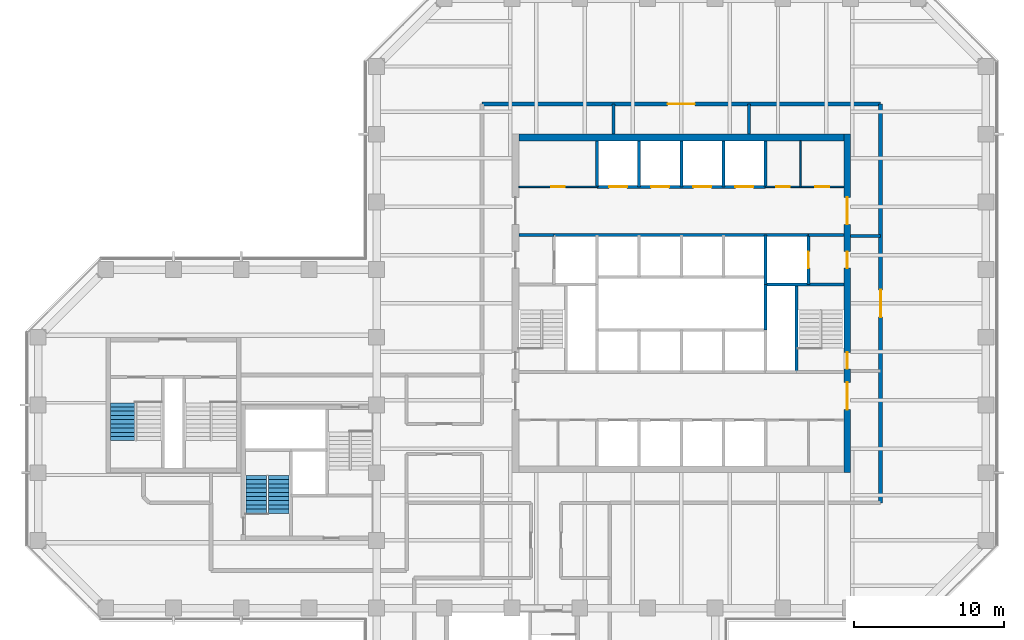
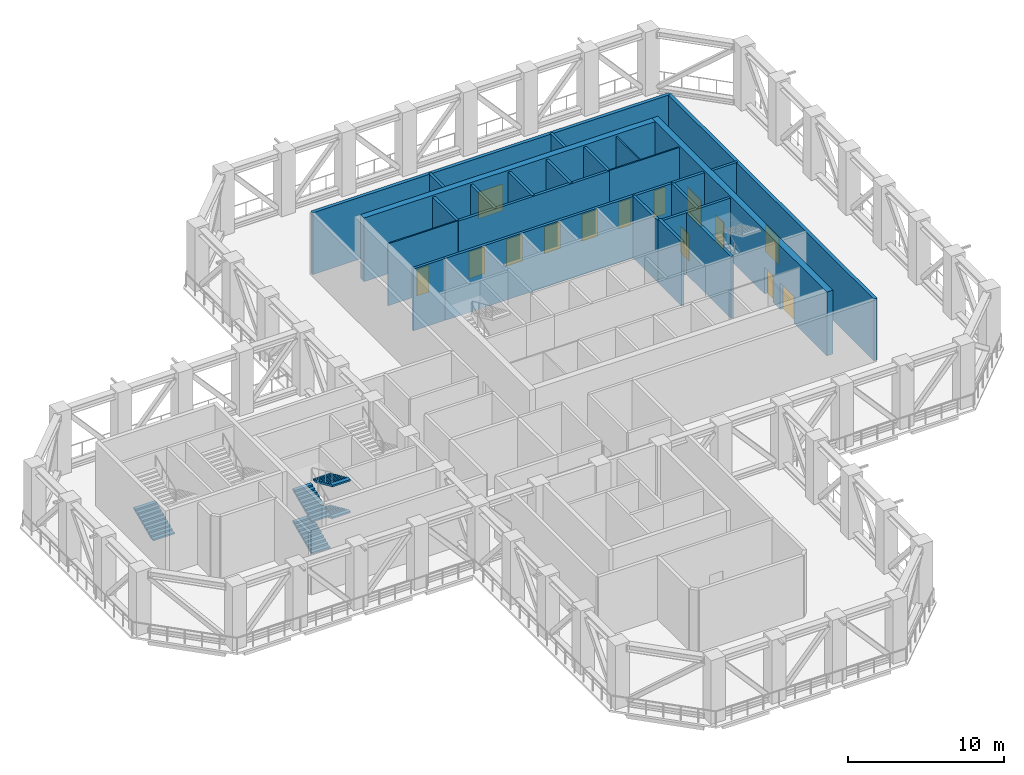
# One storey, part 7 of 14: 24 walls, 14 doors, 5 stair flights, 14 openings, 2 elements without a shape of their own.
"""IFC4 building model written with IfcOpenShell, lengths in metres."""

from ifc_helpers import new_model, si_unit, direction, frame, frame_2d, origin, place, context, subcontext, project, spatial, polyline, rectangle, outline, extrude, material, layer, layer_set, type_object, element, fill, aggregate, save


model = new_model("IFC4")

# Units and contexts
model_context = context("Model", 3, precision=1e-05, world=origin(), true_north=direction((0.0, 1.0)))
body_context = subcontext(model_context, "Body", "Model", "MODEL_VIEW")
ifc_project = project(units=[si_unit("LENGTHUNIT", "METRE"), si_unit("AREAUNIT", "SQUARE_METRE"), si_unit("VOLUMEUNIT", "CUBIC_METRE"), si_unit("PLANEANGLEUNIT", "RADIAN"), si_unit("MASSUNIT", "GRAM", prefix="KILO")], contexts=[model_context])

# Site, building, storey
site_placement = place(None, origin())
site = spatial("IfcSite", under=ifc_project, at=site_placement, CompositionType="ELEMENT")
building_placement = place(site_placement, origin())
building = spatial("IfcBuilding", under=site, at=building_placement, Name="Quoin Convention Tower", CompositionType="ELEMENT")
storey_placement = place(building_placement, frame((0.0, 0.0, 138.10009765625)))
storey = spatial("IfcBuildingStorey", under=building, at=storey_placement, Name="L36", CompositionType="ELEMENT", Elevation=138.10009765625)

# Wall, opening, door
ifc_material_1 = material(Name="Plasterboard")
ifc_layer_1 = layer(ifc_material_1, 0.012451171875, Name="Finish")
ifc_material_2 = material(Name="Steel stud framing", Category="steel")
ifc_layer_2 = layer(ifc_material_2, 0.074951171875, Name="Structure")
ifc_layer_3 = layer(ifc_material_1, 0.012451171875, Name="Finish")
ifc_layer_set_1 = layer_set([ifc_layer_1, ifc_layer_2, ifc_layer_3], Name="Steel stud framing")
wall_type_1 = type_object("IfcWallType", Name="Core partition wall", PredefinedType="PARTITIONING", material=ifc_layer_set_1)
wall_1_placement = place(storey_placement, frame((45.449951171875, 68.5, 0.0), z_axis=(0.0, 0.0, 1.0), x_axis=(1.0, 0.0, 0.0)))
wall_1 = element("IfcWall", 1, at=wall_1_placement, inside=storey, type_object=wall_type_1, Name="cr-C1-L36-h19000_450", PredefinedType="PARTITIONING", context=body_context, shape_type="SweptSolid", body=[
    extrude(rectangle(XDim=5.199951171875, YDim=0.10009765625, at=frame_2d((2.60009765625, 0.0))), origin(), (0.0, 0.0, 1.0), 4.849853515625),
])
opening_1_placement = place(wall_1_placement, frame((2.14990234375, 0.0, 0.0)))
opening_1 = element("IfcOpeningElement", 2, at=opening_1_placement, cuts=wall_1, Name="Opening DCV0-23", PredefinedType="OPENING", context=body_context, shape_type="SweptSolid", body=[
    extrude(rectangle(XDim=0.89990234375, YDim=2.10009765625, at=frame_2d((0.449951171875, 1.050048828125))), frame((0.0, 0.06005859375, 0.0), z_axis=(0.0, -1.0, 0.0), x_axis=(1.0, 0.0, 0.0)), (0.0, 0.0, 1.0), 0.1201171875),
])
ifc_material_3 = material(Name="Steel door leaf", Category="steel")
door_type_1 = type_object("IfcDoorType", Name="Core room door 900 x 2100", OperationType="SINGLE_SWING_LEFT", PredefinedType="DOOR", material=ifc_material_3)
door_1_placement = place(opening_1_placement, origin())
door_1 = element("IfcDoor", 3, at=door_1_placement, inside=storey, type_object=door_type_1, Name="cd-C1-L36-CNW0-lobB-CD3609", OperationType="SINGLE_SWING_RIGHT", OverallHeight=2.10009765625, OverallWidth=0.89990234375, PredefinedType="DOOR", context=body_context, shape_type="SweptSolid", body=[
    extrude(rectangle(XDim=0.89990234375, YDim=2.10009765625, at=frame_2d((0.449951171875, 1.050048828125))), frame((0.0, 0.02490234375, 0.0), z_axis=(0.0, -1.0, 0.0), x_axis=(1.0, 0.0, 0.0)), (0.0, 0.0, 1.0), 0.050048828125),
])
fill(opening_1, door_1)

# Wall, openings, doors
wall_2_placement = place(storey_placement, frame((61.85009765625, 68.5, 0.0), z_axis=(0.0, 0.0, 1.0), x_axis=(1.0, 0.0, 0.0)))
wall_2 = element("IfcWall", 4, at=wall_2_placement, inside=storey, type_object=wall_type_1, Name="cr-C1-L36-h19000_16850", PredefinedType="PARTITIONING", context=body_context, shape_type="SweptSolid", body=[
    extrude(rectangle(XDim=5.199951171875, YDim=0.10009765625, at=frame_2d((2.60009765625, 0.0))), origin(), (0.0, 0.0, 1.0), 4.849853515625),
])
opening_2_placement = place(wall_2_placement, frame((3.320068359375, 0.0, 0.0)))
opening_2 = element("IfcOpeningElement", 5, at=opening_2_placement, cuts=wall_2, Name="Opening DCV0-09", PredefinedType="OPENING", context=body_context, shape_type="SweptSolid", body=[
    extrude(rectangle(XDim=0.89990234375, YDim=2.10009765625, at=frame_2d((0.449951171875, 1.050048828125))), frame((0.0, 0.06005859375, 0.0), z_axis=(0.0, -1.0, 0.0), x_axis=(1.0, 0.0, 0.0)), (0.0, 0.0, 1.0), 0.1201171875),
])
opening_3_placement = place(wall_2_placement, frame((0.719970703125, 0.0, 0.0)))
opening_3 = element("IfcOpeningElement", 6, at=opening_3_placement, cuts=wall_2, Name="Opening DCV0-06", PredefinedType="OPENING", context=body_context, shape_type="SweptSolid", body=[
    extrude(rectangle(XDim=0.89990234375, YDim=2.10009765625, at=frame_2d((0.449951171875, 1.050048828125))), frame((0.0, 0.06005859375, 0.0), z_axis=(0.0, -1.0, 0.0), x_axis=(1.0, 0.0, 0.0)), (0.0, 0.0, 1.0), 0.1201171875),
])
door_2_placement = place(opening_2_placement, origin())
door_2 = element("IfcDoor", 7, at=door_2_placement, inside=storey, type_object=door_type_1, Name="cd-C1-L36-CNE0-lobB-CD3607", OperationType="SINGLE_SWING_RIGHT", OverallHeight=2.10009765625, OverallWidth=0.89990234375, PredefinedType="DOOR", context=body_context, shape_type="SweptSolid", body=[
    extrude(rectangle(XDim=0.89990234375, YDim=2.10009765625, at=frame_2d((0.449951171875, 1.050048828125))), frame((0.0, 0.02490234375, 0.0), z_axis=(0.0, -1.0, 0.0), x_axis=(1.0, 0.0, 0.0)), (0.0, 0.0, 1.0), 0.050048828125),
])
fill(opening_2, door_2)
door_3_placement = place(opening_3_placement, origin())
door_3 = element("IfcDoor", 8, at=door_3_placement, inside=storey, type_object=door_type_1, Name="cd-C1-L36-CNE1-lobB-CD3608", OperationType="SINGLE_SWING_RIGHT", OverallHeight=2.10009765625, OverallWidth=0.89990234375, PredefinedType="DOOR", context=body_context, shape_type="SweptSolid", body=[
    extrude(rectangle(XDim=0.89990234375, YDim=2.10009765625, at=frame_2d((0.449951171875, 1.050048828125))), frame((0.0, 0.02490234375, 0.0), z_axis=(0.0, -1.0, 0.0), x_axis=(1.0, 0.0, 0.0)), (0.0, 0.0, 1.0), 0.050048828125),
])
fill(opening_3, door_3)

# Walls
wall_3_placement = place(storey_placement, frame((64.18994140625, 68.5, 0.0), z_axis=(0.0, 0.0, 1.0), x_axis=(0.0, 1.0, 0.0)))
element("IfcWall", 9, at=wall_3_placement, inside=storey, type_object=wall_type_1, Name="cr-C1-L36-v19190_19000", PredefinedType="PARTITIONING", context=body_context, shape_type="SweptSolid", body=[
    extrude(rectangle(XDim=3.050048828125, YDim=0.10009765625, at=frame_2d((1.52490234375, 0.0))), origin(), (0.0, 0.0, 1.0), 4.849853515625),
])
ifc_material_4 = material(Name="Concrete C50", Category="concrete")
ifc_layer_4 = layer(ifc_material_4, 0.199951171875)
ifc_layer_set_2 = layer_set([ifc_layer_4], Name="Concrete C50")
wall_type_2 = type_object("IfcWallType", Name="Core shaft wall", PredefinedType="SOLIDWALL", material=ifc_layer_set_2)
wall_4_placement = place(storey_placement, frame((61.85009765625, 62.0, 0.0), z_axis=(0.0, 0.0, 1.0), x_axis=(1.0, 0.0, 0.0)))
element("IfcWall", 10, at=wall_4_placement, inside=storey, type_object=wall_type_2, Name="cr-C1-L36-h12500_16850", PredefinedType="SOLIDWALL", context=body_context, shape_type="SweptSolid", body=[
    extrude(rectangle(XDim=5.199951171875, YDim=0.199951171875, at=frame_2d((2.60009765625, 0.0))), origin(), (0.0, 0.0, 1.0), 4.849853515625),
])
for number, where, z_axis, x_axis, name in (
    (11, (45.449951171875, 65.300048828125, 0.0), (0.0, 0.0, 1.0), (1.0, 0.0, 0.0), "cr-C1-L36-h15800_450"),
    (12, (64.699951171875, 65.300048828125, 0.0), (0.0, 0.0, 1.0), (1.0, 0.0, 0.0), "cr-C1-L36-h15800_19700"),
):
    element("IfcWall", number, at=place(storey_placement, frame(where, z_axis=z_axis, x_axis=x_axis)), inside=storey, type_object=wall_type_2, Name=name, PredefinedType="SOLIDWALL", context=body_context, shape_type="SweptSolid", body=[
        extrude(rectangle(XDim=2.35009765625, YDim=0.199951171875, at=frame_2d((1.175048828125, 0.0))), origin(), (0.0, 0.0, 1.0), 4.849853515625),
    ])
wall_5_placement = place(storey_placement, frame((47.800048828125, 65.300048828125, 0.0), z_axis=(0.0, 0.0, 1.0), x_axis=(1.0, 0.0, 0.0)))
element("IfcWall", 13, at=wall_5_placement, inside=storey, type_object=wall_type_2, Name="cr-C1-L36-h15800_2800", PredefinedType="SOLIDWALL", context=body_context, shape_type="SweptSolid", body=[
    extrude(rectangle(XDim=16.89990234375, YDim=0.199951171875, at=frame_2d((8.449951171875, 0.0))), origin(), (0.0, 0.0, 1.0), 4.849853515625),
])

# Wall, openings, doors
wall_6_placement = place(storey_placement, frame((50.64990234375, 68.5, 0.0), z_axis=(0.0, 0.0, 1.0), x_axis=(1.0, 0.0, 0.0)))
wall_6 = element("IfcWall", 14, at=wall_6_placement, inside=storey, type_object=wall_type_2, Name="cr-C1-L36-h19000_5650", PredefinedType="SOLIDWALL", context=body_context, shape_type="SweptSolid", body=[
    extrude(rectangle(XDim=11.2001953125, YDim=0.199951171875, at=frame_2d((5.60009765625, 0.0))), origin(), (0.0, 0.0, 1.0), 4.849853515625),
])
opening_4_placement = place(wall_6_placement, frame((0.800048828125, 0.0, 0.0)))
opening_4 = element("IfcOpeningElement", 15, at=opening_4_placement, cuts=wall_6, Name="Opening LDL5", PredefinedType="OPENING", context=body_context, shape_type="SweptSolid", body=[
    extrude(rectangle(XDim=1.199951171875, YDim=2.10009765625, at=frame_2d((0.60009765625, 1.050048828125))), frame((0.0, 0.10986328125, 0.0), z_axis=(0.0, -1.0, 0.0), x_axis=(1.0, 0.0, 0.0)), (0.0, 0.0, 1.0), 0.219970703125),
])
opening_5_placement = place(wall_6_placement, frame((3.60009765625, 0.0, 0.0)))
opening_5 = element("IfcOpeningElement", 16, at=opening_5_placement, cuts=wall_6, Name="Opening LDL6", PredefinedType="OPENING", context=body_context, shape_type="SweptSolid", body=[
    extrude(rectangle(XDim=1.199951171875, YDim=2.10009765625, at=frame_2d((0.60009765625, 1.050048828125))), frame((0.0, 0.10986328125, 0.0), z_axis=(0.0, -1.0, 0.0), x_axis=(1.0, 0.0, 0.0)), (0.0, 0.0, 1.0), 0.219970703125),
])
opening_6_placement = place(wall_6_placement, frame((6.39990234375, 0.0, 0.0)))
opening_6 = element("IfcOpeningElement", 17, at=opening_6_placement, cuts=wall_6, Name="Opening LDL7", PredefinedType="OPENING", context=body_context, shape_type="SweptSolid", body=[
    extrude(rectangle(XDim=1.199951171875, YDim=2.10009765625, at=frame_2d((0.60009765625, 1.050048828125))), frame((0.0, 0.10986328125, 0.0), z_axis=(0.0, -1.0, 0.0), x_axis=(1.0, 0.0, 0.0)), (0.0, 0.0, 1.0), 0.219970703125),
])
opening_7_placement = place(wall_6_placement, frame((9.199951171875, 0.0, 0.0)))
opening_7 = element("IfcOpeningElement", 18, at=opening_7_placement, cuts=wall_6, Name="Opening LDL8", PredefinedType="OPENING", context=body_context, shape_type="SweptSolid", body=[
    extrude(rectangle(XDim=1.199951171875, YDim=2.10009765625, at=frame_2d((0.60009765625, 1.050048828125))), frame((0.0, 0.10986328125, 0.0), z_axis=(0.0, -1.0, 0.0), x_axis=(1.0, 0.0, 0.0)), (0.0, 0.0, 1.0), 0.219970703125),
])
door_type_2 = type_object("IfcDoorType", Name="Lift landing door 1200 x 2100", OperationType="DOUBLE_DOOR_SLIDING", PredefinedType="DOOR", material=ifc_material_3)
door_4_placement = place(opening_4_placement, origin())
door_4 = element("IfcDoor", 19, at=door_4_placement, inside=storey, type_object=door_type_2, Name="cd-C1-L36-R40-lobB-LDL5", OperationType="DOUBLE_DOOR_SLIDING", OverallHeight=2.10009765625, OverallWidth=1.199951171875, PredefinedType="DOOR", context=body_context, shape_type="SweptSolid", body=[
    extrude(rectangle(XDim=1.199951171875, YDim=2.10009765625, at=frame_2d((0.60009765625, 1.050048828125))), frame((0.0, 0.02490234375, 0.0), z_axis=(0.0, -1.0, 0.0), x_axis=(1.0, 0.0, 0.0)), (0.0, 0.0, 1.0), 0.050048828125),
])
fill(opening_4, door_4)
door_5_placement = place(opening_5_placement, origin())
door_5 = element("IfcDoor", 20, at=door_5_placement, inside=storey, type_object=door_type_2, Name="cd-C1-L36-R41-lobB-LDL6", OperationType="DOUBLE_DOOR_SLIDING", OverallHeight=2.10009765625, OverallWidth=1.199951171875, PredefinedType="DOOR", context=body_context, shape_type="SweptSolid", body=[
    extrude(rectangle(XDim=1.199951171875, YDim=2.10009765625, at=frame_2d((0.60009765625, 1.050048828125))), frame((0.0, 0.02490234375, 0.0), z_axis=(0.0, -1.0, 0.0), x_axis=(1.0, 0.0, 0.0)), (0.0, 0.0, 1.0), 0.050048828125),
])
fill(opening_5, door_5)
door_6_placement = place(opening_6_placement, origin())
door_6 = element("IfcDoor", 21, at=door_6_placement, inside=storey, type_object=door_type_2, Name="cd-C1-L36-R42-lobB-LDL7", OperationType="DOUBLE_DOOR_SLIDING", OverallHeight=2.10009765625, OverallWidth=1.199951171875, PredefinedType="DOOR", context=body_context, shape_type="SweptSolid", body=[
    extrude(rectangle(XDim=1.199951171875, YDim=2.10009765625, at=frame_2d((0.60009765625, 1.050048828125))), frame((0.0, 0.02490234375, 0.0), z_axis=(0.0, -1.0, 0.0), x_axis=(1.0, 0.0, 0.0)), (0.0, 0.0, 1.0), 0.050048828125),
])
fill(opening_6, door_6)
door_7_placement = place(opening_7_placement, origin())
door_7 = element("IfcDoor", 22, at=door_7_placement, inside=storey, type_object=door_type_2, Name="cd-C1-L36-R43-lobB-LDL8", OperationType="DOUBLE_DOOR_SLIDING", OverallHeight=2.10009765625, OverallWidth=1.199951171875, PredefinedType="DOOR", context=body_context, shape_type="SweptSolid", body=[
    extrude(rectangle(XDim=1.199951171875, YDim=2.10009765625, at=frame_2d((0.60009765625, 1.050048828125))), frame((0.0, 0.02490234375, 0.0), z_axis=(0.0, -1.0, 0.0), x_axis=(1.0, 0.0, 0.0)), (0.0, 0.0, 1.0), 0.050048828125),
])
fill(opening_7, door_7)

# Walls
for number, where, z_axis, x_axis, name in (
    (23, (50.64990234375, 68.5, 0.0), (0.0, 0.0, 1.0), (0.0, 1.0, 0.0), "cr-C1-L36-v5650_19000"),
    (24, (53.449951171875, 68.5, 0.0), (0.0, 0.0, 1.0), (0.0, 1.0, 0.0), "cr-C1-L36-v8450_19000"),
    (25, (56.25, 68.5, 0.0), (0.0, 0.0, 1.0), (0.0, 1.0, 0.0), "cr-C1-L36-v11250_19000"),
    (26, (59.050048828125, 68.5, 0.0), (0.0, 0.0, 1.0), (0.0, 1.0, 0.0), "cr-C1-L36-v14050_19000"),
):
    element("IfcWall", number, at=place(storey_placement, frame(where, z_axis=z_axis, x_axis=x_axis)), inside=storey, type_object=wall_type_2, Name=name, PredefinedType="SOLIDWALL", context=body_context, shape_type="SweptSolid", body=[
        extrude(rectangle(XDim=3.050048828125, YDim=0.199951171875, at=frame_2d((1.52490234375, 0.0))), origin(), (0.0, 0.0, 1.0), 4.849853515625),
    ])
wall_7_placement = place(storey_placement, frame((61.85009765625, 62.0, 0.0), z_axis=(0.0, 0.0, 1.0), x_axis=(0.0, 1.0, 0.0)))
element("IfcWall", 27, at=wall_7_placement, inside=storey, type_object=wall_type_2, Name="cr-C1-L36-v16850_12500", PredefinedType="SOLIDWALL", context=body_context, shape_type="SweptSolid", body=[
    extrude(rectangle(XDim=3.300048828125, YDim=0.199951171875, at=frame_2d((1.64990234375, 0.0))), origin(), (0.0, 0.0, 1.0), 4.849853515625),
])
wall_8_placement = place(storey_placement, frame((61.85009765625, 68.5, 0.0), z_axis=(0.0, 0.0, 1.0), x_axis=(0.0, 1.0, 0.0)))
element("IfcWall", 28, at=wall_8_placement, inside=storey, type_object=wall_type_2, Name="cr-C1-L36-v16850_19000", PredefinedType="SOLIDWALL", context=body_context, shape_type="SweptSolid", body=[
    extrude(rectangle(XDim=3.050048828125, YDim=0.199951171875, at=frame_2d((1.52490234375, 0.0))), origin(), (0.0, 0.0, 1.0), 4.849853515625),
])
wall_9_placement = place(storey_placement, frame((63.89990234375, 56.199951171875, 0.0), z_axis=(0.0, 0.0, 1.0), x_axis=(0.0, 1.0, 0.0)))
element("IfcWall", 29, at=wall_9_placement, inside=storey, type_object=wall_type_2, Name="cr-C1-L36-v18900_6700", PredefinedType="SOLIDWALL", context=body_context, shape_type="SweptSolid", body=[
    extrude(rectangle(XDim=5.800048828125, YDim=0.199951171875, at=frame_2d((2.89990234375, 0.0))), origin(), (0.0, 0.0, 1.0), 4.849853515625),
])

# Wall, opening, door
wall_10_placement = place(storey_placement, frame((64.699951171875, 62.0, 0.0), z_axis=(0.0, 0.0, 1.0), x_axis=(0.0, 1.0, 0.0)))
wall_10 = element("IfcWall", 30, at=wall_10_placement, inside=storey, type_object=wall_type_2, Name="cr-C1-L36-v19700_12500", PredefinedType="SOLIDWALL", context=body_context, shape_type="SweptSolid", body=[
    extrude(rectangle(XDim=3.300048828125, YDim=0.199951171875, at=frame_2d((1.64990234375, 0.0))), origin(), (0.0, 0.0, 1.0), 4.849853515625),
])
opening_8_placement = place(wall_10_placement, frame((1.10009765625, 0.0, 0.0)))
opening_8 = element("IfcOpeningElement", 31, at=opening_8_placement, cuts=wall_10, Name="Opening LDFL2", PredefinedType="OPENING", context=body_context, shape_type="SweptSolid", body=[
    extrude(rectangle(XDim=1.10009765625, YDim=2.10009765625, at=frame_2d((0.550048828125, 1.050048828125))), frame((0.0, 0.10986328125, 0.0), z_axis=(0.0, -1.0, 0.0), x_axis=(1.0, 0.0, 0.0)), (0.0, 0.0, 1.0), 0.219970703125),
])
door_type_3 = type_object("IfcDoorType", Name="Lift landing door 1100 x 2100", OperationType="DOUBLE_DOOR_SLIDING", PredefinedType="DOOR", material=ifc_material_3)
door_8_placement = place(opening_8_placement, origin())
door_8 = element("IfcDoor", 32, at=door_8_placement, inside=storey, type_object=door_type_3, Name="cd-C1-L36-FLE-FFE-LDFL2", OperationType="DOUBLE_DOOR_SLIDING", OverallHeight=2.10009765625, OverallWidth=1.10009765625, PredefinedType="DOOR", context=body_context, shape_type="SweptSolid", body=[
    extrude(rectangle(XDim=1.10009765625, YDim=2.10009765625, at=frame_2d((0.550048828125, 1.050048828125))), frame((0.0, 0.02490234375, 0.0), z_axis=(0.0, -1.0, 0.0), x_axis=(1.0, 0.0, 0.0)), (0.0, 0.0, 1.0), 0.050048828125),
])
fill(opening_8, door_8)

# Walls
ifc_layer_5 = layer(ifc_material_4, 0.199951171875)
ifc_layer_set_3 = layer_set([ifc_layer_5], Name="Concrete C50")
wall_type_3 = type_object("IfcWallType", Name="Core shaft wall to the floor level over", PredefinedType="SOLIDWALL", material=ifc_layer_set_3)
wall_11_placement = place(storey_placement, frame((61.85009765625, 59.0, 0.0), z_axis=(0.0, 0.0, 1.0), x_axis=(0.0, 1.0, 0.0)))
element("IfcWall", 33, at=wall_11_placement, inside=storey, type_object=wall_type_3, Name="cr-C1-L36-v16850_9500", PredefinedType="SOLIDWALL", context=body_context, shape_type="SweptSolid", body=[
    extrude(rectangle(XDim=3.0, YDim=0.199951171875, at=frame_2d((1.5, 0.0))), origin(), (0.0, 0.0, 1.0), 5.0),
])
ifc_material_5 = material(Name="Concrete C65", Category="concrete")
ifc_layer_6 = layer(ifc_material_5, 0.449951171875)
ifc_layer_set_4 = layer_set([ifc_layer_6], Name="Concrete C65")
wall_type_4 = type_object("IfcWallType", Name="RC CORE WALL 450 C65", PredefinedType="SHEAR", material=ifc_layer_set_4)
wall_12_placement = place(storey_placement, frame((45.449951171875, 71.77490234375, 0.0), z_axis=(0.0, 0.0, 1.0), x_axis=(1.0, 0.0, 0.0)))
element("IfcWall", 34, at=wall_12_placement, inside=storey, type_object=wall_type_4, Name="cwl-C1-L36-N", PredefinedType="SHEAR", context=body_context, shape_type="SweptSolid", body=[
    extrude(rectangle(XDim=21.60009765625, YDim=0.449951171875, at=frame_2d((10.800048828125, 0.0))), origin(), (0.0, 0.0, 1.0), 5.0),
])

# Wall, openings, doors
wall_13_placement = place(storey_placement, frame((67.27490234375, 49.5, 0.0), z_axis=(0.0, 0.0, 1.0), x_axis=(0.0, 1.0, 0.0)))
wall_13 = element("IfcWall", 35, at=wall_13_placement, inside=storey, type_object=wall_type_4, Name="cwl-C1-L36-E", PredefinedType="SHEAR", context=body_context, shape_type="SweptSolid", body=[
    extrude(rectangle(XDim=22.5, YDim=0.449951171875, at=frame_2d((11.25, 0.0))), origin(), (0.0, 0.0, 1.0), 5.0),
])
opening_9_placement = place(wall_13_placement, frame((4.199951171875, 0.0, 0.0)))
opening_9 = element("IfcOpeningElement", 36, at=opening_9_placement, cuts=wall_13, Name="Opening DCV0-57", PredefinedType="OPENING", context=body_context, shape_type="SweptSolid", body=[
    extrude(rectangle(XDim=1.800048828125, YDim=2.10009765625, at=frame_2d((0.89990234375, 1.050048828125))), frame((0.0, 0.23486328125, 0.0), z_axis=(0.0, -1.0, 0.0), x_axis=(1.0, 0.0, 0.0)), (0.0, 0.0, 1.0), 0.469970703125),
])
opening_10_placement = place(wall_13_placement, frame((6.89990234375, 0.0, 0.0)))
opening_10 = element("IfcOpeningElement", 37, at=opening_10_placement, cuts=wall_13, Name="Opening SD2", PredefinedType="OPENING", context=body_context, shape_type="SweptSolid", body=[
    extrude(rectangle(XDim=1.10009765625, YDim=2.10009765625, at=frame_2d((0.550048828125, 1.050048828125))), frame((0.0, 0.23486328125, 0.0), z_axis=(0.0, -1.0, 0.0), x_axis=(1.0, 0.0, 0.0)), (0.0, 0.0, 1.0), 0.469970703125),
])
opening_11_placement = place(wall_13_placement, frame((13.60009765625, 0.0, 0.0)))
opening_11 = element("IfcOpeningElement", 38, at=opening_11_placement, cuts=wall_13, Name="Opening DCV0-56", PredefinedType="OPENING", context=body_context, shape_type="SweptSolid", body=[
    extrude(rectangle(XDim=1.10009765625, YDim=2.10009765625, at=frame_2d((0.550048828125, 1.050048828125))), frame((0.0, 0.23486328125, 0.0), z_axis=(0.0, -1.0, 0.0), x_axis=(1.0, 0.0, 0.0)), (0.0, 0.0, 1.0), 0.469970703125),
])
opening_12_placement = place(wall_13_placement, frame((16.5, 0.0, 0.0)))
opening_12 = element("IfcOpeningElement", 39, at=opening_12_placement, cuts=wall_13, Name="Opening DCV0-57", PredefinedType="OPENING", context=body_context, shape_type="SweptSolid", body=[
    extrude(rectangle(XDim=1.800048828125, YDim=2.10009765625, at=frame_2d((0.89990234375, 1.050048828125))), frame((0.0, 0.23486328125, 0.0), z_axis=(0.0, -1.0, 0.0), x_axis=(1.0, 0.0, 0.0)), (0.0, 0.0, 1.0), 0.469970703125),
])
door_type_4 = type_object("IfcDoorType", Name="Fire-fighting lobby door 1100 x 2100", OperationType="SINGLE_SWING_LEFT", PredefinedType="DOOR", material=ifc_material_3)
door_9_placement = place(opening_11_placement, origin())
door_9 = element("IfcDoor", 40, at=door_9_placement, inside=storey, type_object=door_type_4, Name="cd-C1-L36-FFE-E", OperationType="SINGLE_SWING_RIGHT", OverallHeight=2.10009765625, OverallWidth=1.10009765625, PredefinedType="DOOR", context=body_context, shape_type="SweptSolid", body=[
    extrude(rectangle(XDim=1.10009765625, YDim=2.10009765625, at=frame_2d((0.550048828125, 1.050048828125))), frame((0.0, 0.02490234375, 0.0), z_axis=(0.0, -1.0, 0.0), x_axis=(1.0, 0.0, 0.0)), (0.0, 0.0, 1.0), 0.050048828125),
])
fill(opening_11, door_9)
door_type_5 = type_object("IfcDoorType", Name="Lift lobby door 1800 x 2100", OperationType="SINGLE_SWING_LEFT", PredefinedType="DOOR", material=ifc_material_3)
door_10_placement = place(opening_9_placement, origin())
door_10 = element("IfcDoor", 41, at=door_10_placement, inside=storey, type_object=door_type_5, Name="cd-C1-L36-lobA-E", OperationType="SINGLE_SWING_RIGHT", OverallHeight=2.10009765625, OverallWidth=1.800048828125, PredefinedType="DOOR", context=body_context, shape_type="SweptSolid", body=[
    extrude(rectangle(XDim=1.800048828125, YDim=2.10009765625, at=frame_2d((0.89990234375, 1.050048828125))), frame((0.0, 0.02490234375, 0.0), z_axis=(0.0, -1.0, 0.0), x_axis=(1.0, 0.0, 0.0)), (0.0, 0.0, 1.0), 0.050048828125),
])
fill(opening_9, door_10)
door_11_placement = place(opening_12_placement, origin())
door_11 = element("IfcDoor", 42, at=door_11_placement, inside=storey, type_object=door_type_5, Name="cd-C1-L36-lobB-E", OperationType="SINGLE_SWING_RIGHT", OverallHeight=2.10009765625, OverallWidth=1.800048828125, PredefinedType="DOOR", context=body_context, shape_type="SweptSolid", body=[
    extrude(rectangle(XDim=1.800048828125, YDim=2.10009765625, at=frame_2d((0.89990234375, 1.050048828125))), frame((0.0, 0.02490234375, 0.0), z_axis=(0.0, -1.0, 0.0), x_axis=(1.0, 0.0, 0.0)), (0.0, 0.0, 1.0), 0.050048828125),
])
fill(opening_12, door_11)
door_type_6 = type_object("IfcDoorType", Name="Stair door 1100 x 2100", OperationType="SINGLE_SWING_RIGHT", PredefinedType="DOOR", material=ifc_material_3)
door_12_placement = place(opening_10_placement, origin())
door_12 = element("IfcDoor", 43, at=door_12_placement, inside=storey, type_object=door_type_6, Name="cd-C1-L36-STE-E", OperationType="SINGLE_SWING_LEFT", OverallHeight=2.10009765625, OverallWidth=1.10009765625, PredefinedType="DOOR", context=body_context, shape_type="SweptSolid", body=[
    extrude(rectangle(XDim=1.10009765625, YDim=2.10009765625, at=frame_2d((0.550048828125, 1.050048828125))), frame((0.0, 0.02490234375, 0.0), z_axis=(0.0, -1.0, 0.0), x_axis=(1.0, 0.0, 0.0)), (0.0, 0.0, 1.0), 0.050048828125),
])
fill(opening_10, door_12)

# Walls
ifc_layer_7 = layer(ifc_material_1, 0.012451171875, Name="Finish")
ifc_layer_8 = layer(ifc_material_2, 0.175048828125, Name="Structure")
ifc_layer_9 = layer(ifc_material_1, 0.012451171875, Name="Finish")
ifc_layer_set_5 = layer_set([ifc_layer_7, ifc_layer_8, ifc_layer_9], Name="Steel stud framing")
wall_type_5 = type_object("IfcWallType", Name="plant room wall", PredefinedType="PARTITIONING", material=ifc_layer_set_5)
for number, where, z_axis, x_axis, name in (
    (44, (67.5, 65.25, 0.0), (0.0, 0.0, 1.0), (1.0, 0.0, 0.0), "pw-L36-038"),
    (45, (51.75, 72.0, 0.0), (0.0, 0.0, 1.0), (0.0, 1.0, 0.0), "pw-L36-039"),
    (46, (60.75, 72.0, 0.0), (0.0, 0.0, 1.0), (0.0, 1.0, 0.0), "pw-L36-040"),
):
    element("IfcWall", number, at=place(storey_placement, frame(where, z_axis=z_axis, x_axis=x_axis)), inside=storey, type_object=wall_type_5, Name=name, PredefinedType="PARTITIONING", context=body_context, shape_type="SweptSolid", body=[
        extrude(rectangle(XDim=2.0, YDim=0.199951171875, at=frame_2d((1.0, 0.0))), origin(), (0.0, 0.0, 1.0), 4.849853515625),
    ])

# Wall, opening, door
ifc_layer_10 = layer(ifc_material_1, 0.012451171875, Name="Finish")
ifc_layer_11 = layer(ifc_material_2, 0.22509765625, Name="Structure")
ifc_layer_12 = layer(ifc_material_1, 0.012451171875, Name="Finish")
ifc_layer_set_6 = layer_set([ifc_layer_10, ifc_layer_11, ifc_layer_12], Name="Steel stud framing")
wall_type_6 = type_object("IfcWallType", Name="refuge enclosure wall", PredefinedType="PARTITIONING", material=ifc_layer_set_6)
wall_14_placement = place(storey_placement, frame((69.5, 47.5, 0.0), z_axis=(0.0, 0.0, 1.0), x_axis=(0.0, 1.0, 0.0)))
wall_14 = element("IfcWall", 47, at=wall_14_placement, inside=storey, type_object=wall_type_6, Name="pw-L36-016", PredefinedType="PARTITIONING", context=body_context, shape_type="SweptSolid", body=[
    extrude(rectangle(XDim=26.5, YDim=0.25, at=frame_2d((13.25, 0.0))), origin(), (0.0, 0.0, 1.0), 4.849853515625),
])
opening_13_placement = place(wall_14_placement, frame((12.35009765625, 0.0, 0.0)))
opening_13 = element("IfcOpeningElement", 48, at=opening_13_placement, cuts=wall_14, Name="Opening DREFUGE-R2-01", PredefinedType="OPENING", context=body_context, shape_type="SweptSolid", body=[
    extrude(rectangle(XDim=1.800048828125, YDim=2.10009765625, at=frame_2d((0.89990234375, 1.050048828125))), frame((0.0, 0.135009765625, 0.0), z_axis=(0.0, -1.0, 0.0), x_axis=(1.0, 0.0, 0.0)), (0.0, 0.0, 1.0), 0.27001953125),
])
door_type_7 = type_object("IfcDoorType", Name="Refuge door", OperationType="SINGLE_SWING_LEFT", PredefinedType="DOOR", material=ifc_material_3)
door_13_placement = place(opening_13_placement, origin())
door_13 = element("IfcDoor", 49, at=door_13_placement, inside=storey, type_object=door_type_7, Name="dr-L36-002", OperationType="SINGLE_SWING_RIGHT", OverallHeight=2.10009765625, OverallWidth=1.800048828125, PredefinedType="DOOR", context=body_context, shape_type="SweptSolid", body=[
    extrude(rectangle(XDim=1.800048828125, YDim=2.10009765625, at=frame_2d((0.89990234375, 1.050048828125))), frame((0.0, 0.02490234375, 0.0), z_axis=(0.0, -1.0, 0.0), x_axis=(1.0, 0.0, 0.0)), (0.0, 0.0, 1.0), 0.050048828125),
])
fill(opening_13, door_13)

wall_15_placement = place(storey_placement, frame((43.0, 74.0, 0.0), z_axis=(0.0, 0.0, 1.0), x_axis=(1.0, 0.0, 0.0)))
wall_15 = element("IfcWall", 50, at=wall_15_placement, inside=storey, type_object=wall_type_6, Name="pw-L36-022", PredefinedType="PARTITIONING", context=body_context, shape_type="SweptSolid", body=[
    extrude(rectangle(XDim=26.5, YDim=0.25, at=frame_2d((13.25, 0.0))), origin(), (0.0, 0.0, 1.0), 4.849853515625),
])
opening_14_placement = place(wall_15_placement, frame((12.35009765625, 0.0, 0.0)))
opening_14 = element("IfcOpeningElement", 51, at=opening_14_placement, cuts=wall_15, Name="Opening DREFUGE-R2-02", PredefinedType="OPENING", context=body_context, shape_type="SweptSolid", body=[
    extrude(rectangle(XDim=1.800048828125, YDim=2.10009765625, at=frame_2d((0.89990234375, 1.050048828125))), frame((0.0, 0.135009765625, 0.0), z_axis=(0.0, -1.0, 0.0), x_axis=(1.0, 0.0, 0.0)), (0.0, 0.0, 1.0), 0.27001953125),
])
door_14_placement = place(opening_14_placement, frame((1.800048828125, 0.0, 0.0), z_axis=(0.0, 0.0, 1.0), x_axis=(-1.0, 0.0, 0.0)))
door_14 = element("IfcDoor", 52, at=door_14_placement, inside=storey, type_object=door_type_7, Name="dr-L36-001", OperationType="SINGLE_SWING_LEFT", OverallHeight=2.10009765625, OverallWidth=1.800048828125, PredefinedType="DOOR", context=body_context, shape_type="SweptSolid", body=[
    extrude(rectangle(XDim=1.800048828125, YDim=2.10009765625, at=frame_2d((0.89990234375, 1.050048828125))), frame((0.0, 0.02490234375, 0.0), z_axis=(0.0, -1.0, 0.0), x_axis=(1.0, 0.0, 0.0)), (0.0, 0.0, 1.0), 0.050048828125),
])
fill(opening_14, door_14)

# Stair, stair flights
ifc_material_6 = material(Name="Concrete C40", Category="concrete")
stair_type_1 = type_object("IfcStairType", Name="Exit stair four-flight 1350", PredefinedType="DOUBLE_RETURN_STAIR", material=ifc_material_6)
stair_1_placement = place(storey_placement, origin())
stair_1 = element("IfcStair", 53, at=stair_1_placement, inside=storey, type_object=stair_type_1, Name="SD3 L36", PredefinedType="DOUBLE_RETURN_STAIR")
stair_flight_type_1 = type_object("IfcStairFlightType", Name="Stair flight 1350", PredefinedType="STRAIGHT", material=ifc_material_6)
stair_flight_1_placement = place(storey_placement, frame((28.0, 46.800048828125, 0.0), z_axis=(0.0, 0.0, 1.0), x_axis=(0.0, 1.0, 0.0)))
stair_flight_1 = element("IfcStairFlight", 54, at=stair_flight_1_placement, type_object=stair_flight_type_1, Name="ST3 flight 1", NumberOfRisers=10, NumberOfTreads=9, PredefinedType="STRAIGHT", RiserHeight=0.125, TreadLength=0.28, context=body_context, shape_type="SweptSolid", body=[
    extrude(outline(polyline([(0.0, 0.0), (0.0, 0.125), (0.280029296875, 0.125), (0.280029296875, 0.25), (0.56005859375, 0.25), (0.56005859375, 0.375), (0.840087890625, 0.375), (0.840087890625, 0.5), (1.1201171875, 0.5), (1.1201171875, 0.625), (1.39990234375, 0.625), (1.39990234375, 0.75), (1.679931640625, 0.75), (1.679931640625, 0.875), (1.9599609375, 0.875), (1.9599609375, 1.0), (2.239990234375, 1.0), (2.239990234375, 1.125), (2.52001953125, 1.125), (2.52001953125, 1.25), (2.52001953125, 0.993408203125), (0.294677734375, 0.0), (0.0, 0.0)])), frame((0.0, 0.675048828125, 0.0), z_axis=(0.0, -1.0, 0.0), x_axis=(1.0, 0.0, 0.0)), (0.0, 0.0, 1.0), 1.35009765625),
])
stair_flight_2_placement = place(storey_placement, frame((29.5, 49.320068359375, 1.25), z_axis=(0.0, 0.0, 1.0), x_axis=(0.0, -1.0, 0.0)))
stair_flight_2 = element("IfcStairFlight", 55, at=stair_flight_2_placement, type_object=stair_flight_type_1, Name="ST3 flight 2", NumberOfRisers=10, NumberOfTreads=9, PredefinedType="STRAIGHT", RiserHeight=0.125, TreadLength=0.28, context=body_context, shape_type="SweptSolid", body=[
    extrude(outline(polyline([(0.0, 0.0), (0.0, 0.125), (0.280029296875, 0.125), (0.280029296875, 0.25), (0.56005859375, 0.25), (0.56005859375, 0.375), (0.840087890625, 0.375), (0.840087890625, 0.5), (1.1201171875, 0.5), (1.1201171875, 0.625), (1.39990234375, 0.625), (1.39990234375, 0.75), (1.679931640625, 0.75), (1.679931640625, 0.875), (1.9599609375, 0.875), (1.9599609375, 1.0), (2.239990234375, 1.0), (2.239990234375, 1.125), (2.52001953125, 1.125), (2.52001953125, 1.25), (2.52001953125, 0.993408203125), (0.294677734375, 0.0), (0.0, 0.0)])), frame((0.0, 0.675048828125, 0.0), z_axis=(0.0, -1.0, 0.0), x_axis=(1.0, 0.0, 0.0)), (0.0, 0.0, 1.0), 1.35009765625),
])
stair_flight_3_placement = place(storey_placement, frame((28.0, 46.800048828125, 2.5), z_axis=(0.0, 0.0, 1.0), x_axis=(0.0, 1.0, 0.0)))
stair_flight_3 = element("IfcStairFlight", 56, at=stair_flight_3_placement, type_object=stair_flight_type_1, Name="ST3 flight 3", NumberOfRisers=10, NumberOfTreads=9, PredefinedType="STRAIGHT", RiserHeight=0.125, TreadLength=0.28, context=body_context, shape_type="SweptSolid", body=[
    extrude(outline(polyline([(0.0, 0.0), (0.0, 0.125), (0.280029296875, 0.125), (0.280029296875, 0.25), (0.56005859375, 0.25), (0.56005859375, 0.375), (0.840087890625, 0.375), (0.840087890625, 0.5), (1.1201171875, 0.5), (1.1201171875, 0.625), (1.39990234375, 0.625), (1.39990234375, 0.75), (1.679931640625, 0.75), (1.679931640625, 0.875), (1.9599609375, 0.875), (1.9599609375, 1.0), (2.239990234375, 1.0), (2.239990234375, 1.125), (2.52001953125, 1.125), (2.52001953125, 1.25), (2.52001953125, 0.993408203125), (0.294677734375, 0.0), (0.0, 0.0)])), frame((0.0, 0.675048828125, 0.0), z_axis=(0.0, -1.0, 0.0), x_axis=(1.0, 0.0, 0.0)), (0.0, 0.0, 1.0), 1.35009765625),
])
stair_flight_4_placement = place(storey_placement, frame((29.5, 49.320068359375, 3.75), z_axis=(0.0, 0.0, 1.0), x_axis=(0.0, -1.0, 0.0)))
stair_flight_4 = element("IfcStairFlight", 57, at=stair_flight_4_placement, type_object=stair_flight_type_1, Name="ST3 flight 4", NumberOfRisers=10, NumberOfTreads=9, PredefinedType="STRAIGHT", RiserHeight=0.125, TreadLength=0.28, context=body_context, shape_type="SweptSolid", body=[
    extrude(outline(polyline([(0.0, 0.0), (0.0, 0.125), (0.280029296875, 0.125), (0.280029296875, 0.25), (0.56005859375, 0.25), (0.56005859375, 0.375), (0.840087890625, 0.375), (0.840087890625, 0.5), (1.1201171875, 0.5), (1.1201171875, 0.625), (1.39990234375, 0.625), (1.39990234375, 0.75), (1.679931640625, 0.75), (1.679931640625, 0.875), (1.9599609375, 0.875), (1.9599609375, 1.0), (2.239990234375, 1.0), (2.239990234375, 1.125), (2.52001953125, 1.125), (2.52001953125, 1.25), (2.52001953125, 0.993408203125), (0.294677734375, 0.0), (0.0, 0.0)])), frame((0.0, 0.675048828125, 0.0), z_axis=(0.0, -1.0, 0.0), x_axis=(1.0, 0.0, 0.0)), (0.0, 0.0, 1.0), 1.35009765625),
])
aggregate(stair_1, [stair_flight_1, stair_flight_2, stair_flight_3, stair_flight_4])

# Stair, stair flight
stair_type_2 = type_object("IfcStairType", Name="Exit stair four-flight 1600", PredefinedType="DOUBLE_RETURN_STAIR", material=ifc_material_6)
stair_2_placement = place(storey_placement, origin())
stair_2 = element("IfcStair", 58, at=stair_2_placement, inside=storey, type_object=stair_type_2, Name="SD11 L36", PredefinedType="DOUBLE_RETURN_STAIR")
stair_flight_type_2 = type_object("IfcStairFlightType", Name="Stair flight 1600", PredefinedType="STRAIGHT", material=ifc_material_6)
stair_flight_5_placement = place(storey_placement, frame((19.125, 51.6298828125, 1.25), z_axis=(0.0, 0.0, 1.0), x_axis=(0.0, 1.0, 0.0)))
stair_flight_5 = element("IfcStairFlight", 59, at=stair_flight_5_placement, type_object=stair_flight_type_2, Name="ST11 flight 2", NumberOfRisers=10, NumberOfTreads=9, PredefinedType="STRAIGHT", RiserHeight=0.125, TreadLength=0.28, context=body_context, shape_type="SweptSolid", body=[
    extrude(outline(polyline([(0.0, 0.0), (0.0, 0.125), (0.280029296875, 0.125), (0.280029296875, 0.25), (0.56005859375, 0.25), (0.56005859375, 0.375), (0.840087890625, 0.375), (0.840087890625, 0.5), (1.1201171875, 0.5), (1.1201171875, 0.625), (1.39990234375, 0.625), (1.39990234375, 0.75), (1.679931640625, 0.75), (1.679931640625, 0.875), (1.9599609375, 0.875), (1.9599609375, 1.0), (2.239990234375, 1.0), (2.239990234375, 1.125), (2.52001953125, 1.125), (2.52001953125, 1.25), (2.52001953125, 0.993408203125), (0.294677734375, 0.0), (0.0, 0.0)])), frame((0.0, 0.800048828125, 0.0), z_axis=(0.0, -1.0, 0.0), x_axis=(1.0, 0.0, 0.0)), (0.0, 0.0, 1.0), 1.60009765625),
])
aggregate(stair_2, [stair_flight_5])

save(model, "model.ifc")
